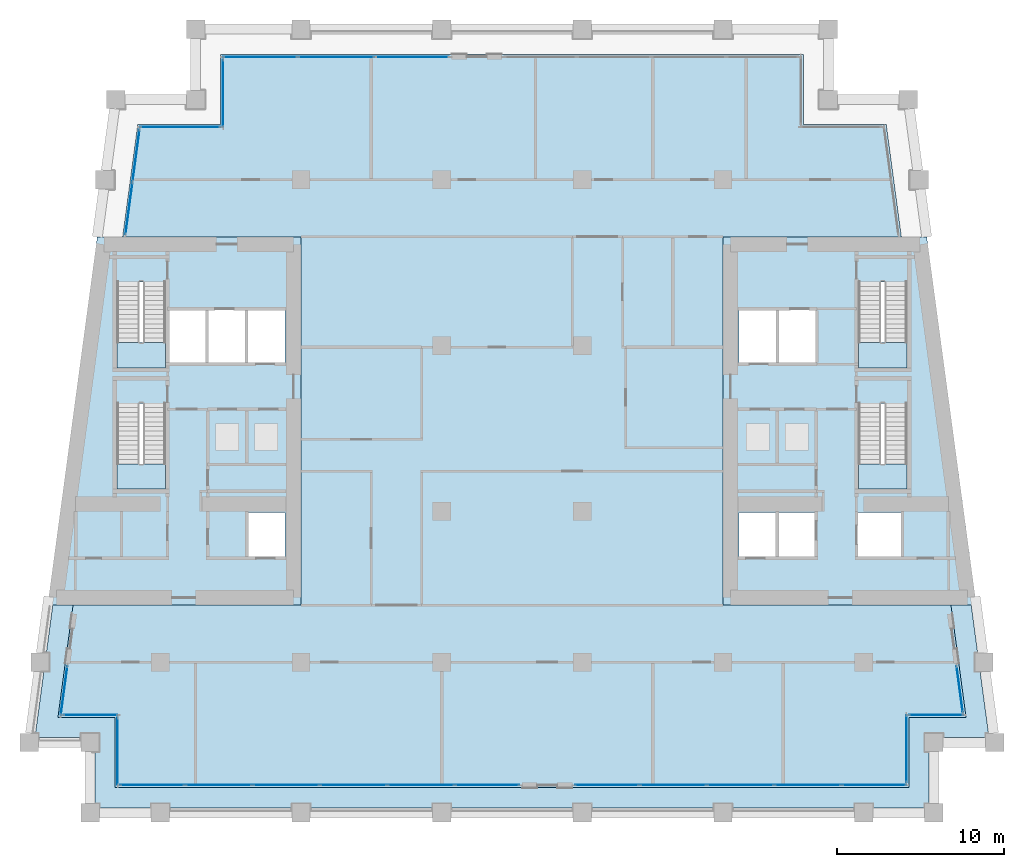
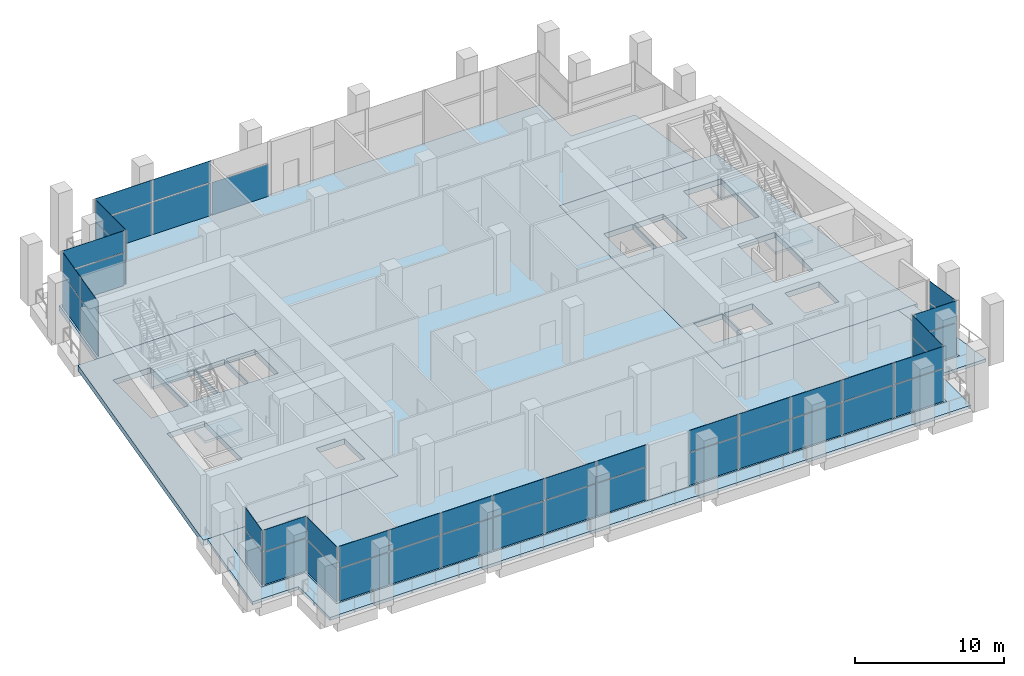
# One storey, part 6 of 16: 47 plates, 8 slabs, 16 elements without a shape of their own.
"""IFC4 building model written with IfcOpenShell, lengths in metres."""

from ifc_helpers import new_model, si_unit, direction, frame, origin, origin_2d, place, context, subcontext, project, spatial, polyline, rectangle, outline, extrude, material, layer, layer_set, type_object, element, aggregate, save


model = new_model("IFC4")

# Units and contexts
model_context = context("Model", 3, precision=1e-05, world=origin(), true_north=direction((0.0, 1.0)))
body_context = subcontext(model_context, "Body", "Model", "MODEL_VIEW")
ifc_project = project(units=[si_unit("LENGTHUNIT", "METRE"), si_unit("AREAUNIT", "SQUARE_METRE"), si_unit("VOLUMEUNIT", "CUBIC_METRE"), si_unit("PLANEANGLEUNIT", "RADIAN"), si_unit("MASSUNIT", "GRAM", prefix="KILO")], contexts=[model_context])

# Site, building, storey
site_placement = place(None, origin())
site = spatial("IfcSite", under=ifc_project, at=site_placement, CompositionType="ELEMENT")
building_placement = place(site_placement, origin())
building = spatial("IfcBuilding", under=site, at=building_placement, Name="Candeia Pilgrim Tower and Theatre", CompositionType="ELEMENT")
storey_placement = place(building_placement, frame((0.0, 0.0, 192.199951171875)))
storey = spatial("IfcBuildingStorey", under=building, at=storey_placement, Name="L46", CompositionType="ELEMENT", Elevation=192.199951171875)

# Curtain wall, plates
ifc_material_1 = material(Name="Aluminium framed sky lobby glazing", Category="aluminium")
curtain_wall_type = type_object("IfcCurtainWallType", Name="CW-S curtain wall", PredefinedType="NOTDEFINED", material=ifc_material_1)
curtain_wall_1_placement = place(storey_placement, origin())
curtain_wall_1 = element("IfcCurtainWall", 1, at=curtain_wall_1_placement, inside=storey, type_object=curtain_wall_type, Name="Curtain wall CW-S L46.000", PredefinedType="NOTDEFINED")
ifc_material_2 = material(Name="Laminated glass 2 x 6 mm", Category="glass")
ifc_layer_1 = layer(ifc_material_2, 0.031982421875)
ifc_layer_set_1 = layer_set([ifc_layer_1], Name="CW-S glass panel 32")
plate_type = type_object("IfcPlateType", Name="CW-S glass panel 32", PredefinedType="CURTAIN_PANEL", material=ifc_layer_set_1)
plate_1_placement = place(storey_placement, frame((91.925048828125, 99.64990234375, 0.0), z_axis=(0.0, 0.0, 1.0), x_axis=(1.0, 0.0, 0.0)))
plate_1 = element("IfcPlate", 2, at=plate_1_placement, type_object=plate_type, Name="CW-S panel 1.1", PredefinedType="CURTAIN_PANEL", context=body_context, shape_type="SweptSolid", body=[
    extrude(rectangle(XDim=3.820068359375, YDim=0.031982421875, at=origin_2d()), origin(), (0.0, 0.0, 1.0), 2.659912109375),
])
plate_2_placement = place(storey_placement, frame((91.925048828125, 99.64990234375, 2.740234375), z_axis=(0.0, 0.0, 1.0), x_axis=(1.0, 0.0, 0.0)))
plate_2 = element("IfcPlate", 3, at=plate_2_placement, type_object=plate_type, Name="CW-S panel 1.2", PredefinedType="CURTAIN_PANEL", context=body_context, shape_type="SweptSolid", body=[
    extrude(rectangle(XDim=3.820068359375, YDim=0.031982421875, at=origin_2d()), origin(), (0.0, 0.0, 1.0), 1.760009765625),
])
plate_3_placement = place(storey_placement, frame((95.887451171875, 99.64990234375, 0.0), z_axis=(0.0, 0.0, 1.0), x_axis=(1.0, 0.0, 0.0)))
plate_3 = element("IfcPlate", 4, at=plate_3_placement, type_object=plate_type, Name="CW-S panel 2.1", PredefinedType="CURTAIN_PANEL", context=body_context, shape_type="SweptSolid", body=[
    extrude(rectangle(XDim=3.945068359375, YDim=0.031982421875, at=origin_2d()), origin(), (0.0, 0.0, 1.0), 2.659912109375),
])
plate_4_placement = place(storey_placement, frame((95.887451171875, 99.64990234375, 2.740234375), z_axis=(0.0, 0.0, 1.0), x_axis=(1.0, 0.0, 0.0)))
plate_4 = element("IfcPlate", 5, at=plate_4_placement, type_object=plate_type, Name="CW-S panel 2.2", PredefinedType="CURTAIN_PANEL", context=body_context, shape_type="SweptSolid", body=[
    extrude(rectangle(XDim=3.945068359375, YDim=0.031982421875, at=origin_2d()), origin(), (0.0, 0.0, 1.0), 1.760009765625),
])
plate_5_placement = place(storey_placement, frame((99.91259765625, 99.64990234375, 0.0), z_axis=(0.0, 0.0, 1.0), x_axis=(1.0, 0.0, 0.0)))
plate_5 = element("IfcPlate", 6, at=plate_5_placement, type_object=plate_type, Name="CW-S panel 3.1", PredefinedType="CURTAIN_PANEL", context=body_context, shape_type="SweptSolid", body=[
    extrude(rectangle(XDim=3.945068359375, YDim=0.031982421875, at=origin_2d()), origin(), (0.0, 0.0, 1.0), 2.659912109375),
])
plate_6_placement = place(storey_placement, frame((99.91259765625, 99.64990234375, 2.740234375), z_axis=(0.0, 0.0, 1.0), x_axis=(1.0, 0.0, 0.0)))
plate_6 = element("IfcPlate", 7, at=plate_6_placement, type_object=plate_type, Name="CW-S panel 3.2", PredefinedType="CURTAIN_PANEL", context=body_context, shape_type="SweptSolid", body=[
    extrude(rectangle(XDim=3.945068359375, YDim=0.031982421875, at=origin_2d()), origin(), (0.0, 0.0, 1.0), 1.760009765625),
])
plate_7_placement = place(storey_placement, frame((103.9375, 99.64990234375, 0.0), z_axis=(0.0, 0.0, 1.0), x_axis=(1.0, 0.0, 0.0)))
plate_7 = element("IfcPlate", 8, at=plate_7_placement, type_object=plate_type, Name="CW-S panel 4.1", PredefinedType="CURTAIN_PANEL", context=body_context, shape_type="SweptSolid", body=[
    extrude(rectangle(XDim=3.945068359375, YDim=0.031982421875, at=origin_2d()), origin(), (0.0, 0.0, 1.0), 2.659912109375),
])
plate_8_placement = place(storey_placement, frame((103.9375, 99.64990234375, 2.740234375), z_axis=(0.0, 0.0, 1.0), x_axis=(1.0, 0.0, 0.0)))
plate_8 = element("IfcPlate", 9, at=plate_8_placement, type_object=plate_type, Name="CW-S panel 4.2", PredefinedType="CURTAIN_PANEL", context=body_context, shape_type="SweptSolid", body=[
    extrude(rectangle(XDim=3.945068359375, YDim=0.031982421875, at=origin_2d()), origin(), (0.0, 0.0, 1.0), 1.760009765625),
])
plate_9_placement = place(storey_placement, frame((107.96240234375, 99.64990234375, 0.0), z_axis=(0.0, 0.0, 1.0), x_axis=(1.0, 0.0, 0.0)))
plate_9 = element("IfcPlate", 10, at=plate_9_placement, type_object=plate_type, Name="CW-S panel 5.1", PredefinedType="CURTAIN_PANEL", context=body_context, shape_type="SweptSolid", body=[
    extrude(rectangle(XDim=3.945068359375, YDim=0.031982421875, at=origin_2d()), origin(), (0.0, 0.0, 1.0), 2.659912109375),
])
plate_10_placement = place(storey_placement, frame((107.96240234375, 99.64990234375, 2.740234375), z_axis=(0.0, 0.0, 1.0), x_axis=(1.0, 0.0, 0.0)))
plate_10 = element("IfcPlate", 11, at=plate_10_placement, type_object=plate_type, Name="CW-S panel 5.2", PredefinedType="CURTAIN_PANEL", context=body_context, shape_type="SweptSolid", body=[
    extrude(rectangle(XDim=3.945068359375, YDim=0.031982421875, at=origin_2d()), origin(), (0.0, 0.0, 1.0), 1.760009765625),
])
plate_11_placement = place(storey_placement, frame((111.925048828125, 99.64990234375, 0.0), z_axis=(0.0, 0.0, 1.0), x_axis=(1.0, 0.0, 0.0)))
plate_11 = element("IfcPlate", 12, at=plate_11_placement, type_object=plate_type, Name="CW-S panel 6.1", PredefinedType="CURTAIN_PANEL", context=body_context, shape_type="SweptSolid", body=[
    extrude(rectangle(XDim=3.820068359375, YDim=0.031982421875, at=origin_2d()), origin(), (0.0, 0.0, 1.0), 2.659912109375),
])
plate_12_placement = place(storey_placement, frame((111.925048828125, 99.64990234375, 2.740234375), z_axis=(0.0, 0.0, 1.0), x_axis=(1.0, 0.0, 0.0)))
plate_12 = element("IfcPlate", 13, at=plate_12_placement, type_object=plate_type, Name="CW-S panel 6.2", PredefinedType="CURTAIN_PANEL", context=body_context, shape_type="SweptSolid", body=[
    extrude(rectangle(XDim=3.820068359375, YDim=0.031982421875, at=origin_2d()), origin(), (0.0, 0.0, 1.0), 1.760009765625),
])
aggregate(curtain_wall_1, [plate_1, plate_2, plate_3, plate_4, plate_5, plate_6, plate_7, plate_8, plate_9, plate_10, plate_11, plate_12])

curtain_wall_2_placement = place(storey_placement, origin())
curtain_wall_2 = element("IfcCurtainWall", 14, at=curtain_wall_2_placement, inside=storey, type_object=curtain_wall_type, Name="Curtain wall CW-S L46.002", PredefinedType="NOTDEFINED")
plate_13_placement = place(storey_placement, frame((119.072509765625, 99.64990234375, 0.0), z_axis=(0.0, 0.0, 1.0), x_axis=(1.0, 0.0, 0.0)))
plate_13 = element("IfcPlate", 15, at=plate_13_placement, type_object=plate_type, Name="CW-S panel 1.1", PredefinedType="CURTAIN_PANEL", context=body_context, shape_type="SweptSolid", body=[
    extrude(rectangle(XDim=3.81494140625, YDim=0.031982421875, at=origin_2d()), origin(), (0.0, 0.0, 1.0), 2.659912109375),
])
plate_14_placement = place(storey_placement, frame((119.072509765625, 99.64990234375, 2.740234375), z_axis=(0.0, 0.0, 1.0), x_axis=(1.0, 0.0, 0.0)))
plate_14 = element("IfcPlate", 16, at=plate_14_placement, type_object=plate_type, Name="CW-S panel 1.2", PredefinedType="CURTAIN_PANEL", context=body_context, shape_type="SweptSolid", body=[
    extrude(rectangle(XDim=3.81494140625, YDim=0.031982421875, at=origin_2d()), origin(), (0.0, 0.0, 1.0), 1.760009765625),
])
plate_15_placement = place(storey_placement, frame((123.030029296875, 99.64990234375, 0.0), z_axis=(0.0, 0.0, 1.0), x_axis=(1.0, 0.0, 0.0)))
plate_15 = element("IfcPlate", 17, at=plate_15_placement, type_object=plate_type, Name="CW-S panel 2.1", PredefinedType="CURTAIN_PANEL", context=body_context, shape_type="SweptSolid", body=[
    extrude(rectangle(XDim=3.93994140625, YDim=0.031982421875, at=origin_2d()), origin(), (0.0, 0.0, 1.0), 2.659912109375),
])
plate_16_placement = place(storey_placement, frame((123.030029296875, 99.64990234375, 2.740234375), z_axis=(0.0, 0.0, 1.0), x_axis=(1.0, 0.0, 0.0)))
plate_16 = element("IfcPlate", 18, at=plate_16_placement, type_object=plate_type, Name="CW-S panel 2.2", PredefinedType="CURTAIN_PANEL", context=body_context, shape_type="SweptSolid", body=[
    extrude(rectangle(XDim=3.93994140625, YDim=0.031982421875, at=origin_2d()), origin(), (0.0, 0.0, 1.0), 1.760009765625),
])
plate_17_placement = place(storey_placement, frame((127.050048828125, 99.64990234375, 0.0), z_axis=(0.0, 0.0, 1.0), x_axis=(1.0, 0.0, 0.0)))
plate_17 = element("IfcPlate", 19, at=plate_17_placement, type_object=plate_type, Name="CW-S panel 3.1", PredefinedType="CURTAIN_PANEL", context=body_context, shape_type="SweptSolid", body=[
    extrude(rectangle(XDim=3.93994140625, YDim=0.031982421875, at=origin_2d()), origin(), (0.0, 0.0, 1.0), 2.659912109375),
])
plate_18_placement = place(storey_placement, frame((127.050048828125, 99.64990234375, 2.740234375), z_axis=(0.0, 0.0, 1.0), x_axis=(1.0, 0.0, 0.0)))
plate_18 = element("IfcPlate", 20, at=plate_18_placement, type_object=plate_type, Name="CW-S panel 3.2", PredefinedType="CURTAIN_PANEL", context=body_context, shape_type="SweptSolid", body=[
    extrude(rectangle(XDim=3.93994140625, YDim=0.031982421875, at=origin_2d()), origin(), (0.0, 0.0, 1.0), 1.760009765625),
])
plate_19_placement = place(storey_placement, frame((131.070068359375, 99.64990234375, 0.0), z_axis=(0.0, 0.0, 1.0), x_axis=(1.0, 0.0, 0.0)))
plate_19 = element("IfcPlate", 21, at=plate_19_placement, type_object=plate_type, Name="CW-S panel 4.1", PredefinedType="CURTAIN_PANEL", context=body_context, shape_type="SweptSolid", body=[
    extrude(rectangle(XDim=3.93994140625, YDim=0.031982421875, at=origin_2d()), origin(), (0.0, 0.0, 1.0), 2.659912109375),
])
plate_20_placement = place(storey_placement, frame((131.070068359375, 99.64990234375, 2.740234375), z_axis=(0.0, 0.0, 1.0), x_axis=(1.0, 0.0, 0.0)))
plate_20 = element("IfcPlate", 22, at=plate_20_placement, type_object=plate_type, Name="CW-S panel 4.2", PredefinedType="CURTAIN_PANEL", context=body_context, shape_type="SweptSolid", body=[
    extrude(rectangle(XDim=3.93994140625, YDim=0.031982421875, at=origin_2d()), origin(), (0.0, 0.0, 1.0), 1.760009765625),
])
plate_21_placement = place(storey_placement, frame((135.027587890625, 99.64990234375, 0.0), z_axis=(0.0, 0.0, 1.0), x_axis=(1.0, 0.0, 0.0)))
plate_21 = element("IfcPlate", 23, at=plate_21_placement, type_object=plate_type, Name="CW-S panel 5.1", PredefinedType="CURTAIN_PANEL", context=body_context, shape_type="SweptSolid", body=[
    extrude(rectangle(XDim=3.81494140625, YDim=0.031982421875, at=origin_2d()), origin(), (0.0, 0.0, 1.0), 2.659912109375),
])
plate_22_placement = place(storey_placement, frame((135.027587890625, 99.64990234375, 2.740234375), z_axis=(0.0, 0.0, 1.0), x_axis=(1.0, 0.0, 0.0)))
plate_22 = element("IfcPlate", 24, at=plate_22_placement, type_object=plate_type, Name="CW-S panel 5.2", PredefinedType="CURTAIN_PANEL", context=body_context, shape_type="SweptSolid", body=[
    extrude(rectangle(XDim=3.81494140625, YDim=0.031982421875, at=origin_2d()), origin(), (0.0, 0.0, 1.0), 1.760009765625),
])
aggregate(curtain_wall_2, [plate_13, plate_14, plate_15, plate_16, plate_17, plate_18, plate_19, plate_20, plate_21, plate_22])

curtain_wall_3_placement = place(storey_placement, origin())
curtain_wall_3 = element("IfcCurtainWall", 25, at=curtain_wall_3_placement, inside=storey, type_object=curtain_wall_type, Name="Curtain wall CW-S L46.100", PredefinedType="NOTDEFINED")
plate_23_placement = place(storey_placement, frame((136.949951171875, 101.824951171875, 0.0), z_axis=(0.0, 0.0, 1.0), x_axis=(0.0, 1.0, 0.0)))
plate_23 = element("IfcPlate", 26, at=plate_23_placement, type_object=plate_type, Name="CW-S panel 1.1", PredefinedType="CURTAIN_PANEL", context=body_context, shape_type="SweptSolid", body=[
    extrude(rectangle(XDim=4.02001953125, YDim=0.031982421875, at=origin_2d()), origin(), (0.0, 0.0, 1.0), 2.659912109375),
])
plate_24_placement = place(storey_placement, frame((136.949951171875, 101.824951171875, 2.740234375), z_axis=(0.0, 0.0, 1.0), x_axis=(0.0, 1.0, 0.0)))
plate_24 = element("IfcPlate", 27, at=plate_24_placement, type_object=plate_type, Name="CW-S panel 1.2", PredefinedType="CURTAIN_PANEL", context=body_context, shape_type="SweptSolid", body=[
    extrude(rectangle(XDim=4.02001953125, YDim=0.031982421875, at=origin_2d()), origin(), (0.0, 0.0, 1.0), 1.760009765625),
])
aggregate(curtain_wall_3, [plate_23, plate_24])

curtain_wall_4_placement = place(storey_placement, origin())
curtain_wall_4 = element("IfcCurtainWall", 28, at=curtain_wall_4_placement, inside=storey, type_object=curtain_wall_type, Name="Curtain wall CW-S L46.200", PredefinedType="NOTDEFINED")
plate_25_placement = place(storey_placement, frame((138.734619140625, 103.85009765625, 0.0), z_axis=(0.0, 0.0, 1.0), x_axis=(1.0, 0.0, 0.0)))
plate_25 = element("IfcPlate", 29, at=plate_25_placement, type_object=plate_type, Name="CW-S panel 1.1", PredefinedType="CURTAIN_PANEL", context=body_context, shape_type="SweptSolid", body=[
    extrude(rectangle(XDim=3.2392578125, YDim=0.031982421875, at=origin_2d()), origin(), (0.0, 0.0, 1.0), 2.659912109375),
])
plate_26_placement = place(storey_placement, frame((138.734619140625, 103.85009765625, 2.740234375), z_axis=(0.0, 0.0, 1.0), x_axis=(1.0, 0.0, 0.0)))
plate_26 = element("IfcPlate", 30, at=plate_26_placement, type_object=plate_type, Name="CW-S panel 1.2", PredefinedType="CURTAIN_PANEL", context=body_context, shape_type="SweptSolid", body=[
    extrude(rectangle(XDim=3.2392578125, YDim=0.031982421875, at=origin_2d()), origin(), (0.0, 0.0, 1.0), 1.760009765625),
])
aggregate(curtain_wall_4, [plate_25, plate_26])

curtain_wall_5_placement = place(storey_placement, origin())
curtain_wall_5 = element("IfcCurtainWall", 31, at=curtain_wall_5_placement, inside=storey, type_object=curtain_wall_type, Name="Curtain wall CW-S L46.300", PredefinedType="NOTDEFINED")
plate_27_placement = place(storey_placement, frame((140.141357421875, 105.381591796875, 0.0), z_axis=(0.0, 0.0, 1.0), x_axis=(-0.133412012145, 0.991060661622, 0.0)))
plate_27 = element("IfcPlate", 32, at=plate_27_placement, type_object=plate_type, Name="CW-S panel 1.1", PredefinedType="CURTAIN_PANEL", context=body_context, shape_type="SweptSolid", body=[
    extrude(rectangle(XDim=2.760986328125, YDim=0.031982421875, at=origin_2d()), origin(), (0.0, 0.0, 1.0), 2.659912109375),
])
plate_28_placement = place(storey_placement, frame((140.141357421875, 105.381591796875, 2.740234375), z_axis=(0.0, 0.0, 1.0), x_axis=(-0.133412012145, 0.991060661622, 0.0)))
plate_28 = element("IfcPlate", 33, at=plate_28_placement, type_object=plate_type, Name="CW-S panel 1.2", PredefinedType="CURTAIN_PANEL", context=body_context, shape_type="SweptSolid", body=[
    extrude(rectangle(XDim=2.760986328125, YDim=0.031982421875, at=origin_2d()), origin(), (0.0, 0.0, 1.0), 1.760009765625),
])
aggregate(curtain_wall_5, [plate_27, plate_28])

curtain_wall_6_placement = place(storey_placement, origin())
curtain_wall_6 = element("IfcCurtainWall", 34, at=curtain_wall_6_placement, inside=storey, type_object=curtain_wall_type, Name="Curtain wall CW-S L46.602", PredefinedType="NOTDEFINED")
plate_29_placement = place(storey_placement, frame((107.4375, 143.14990234375, 0.0), z_axis=(0.0, 0.0, 1.0), x_axis=(-1.0, 0.0, 0.0)))
plate_29 = element("IfcPlate", 35, at=plate_29_placement, type_object=plate_type, Name="CW-S panel 1.1", PredefinedType="CURTAIN_PANEL", context=body_context, shape_type="SweptSolid", body=[
    extrude(rectangle(XDim=4.39501953125, YDim=0.031982421875, at=origin_2d()), origin(), (0.0, 0.0, 1.0), 2.659912109375),
])
plate_30_placement = place(storey_placement, frame((102.89990234375, 143.14990234375, 0.0), z_axis=(0.0, 0.0, 1.0), x_axis=(-1.0, 0.0, 0.0)))
plate_30 = element("IfcPlate", 36, at=plate_30_placement, type_object=plate_type, Name="CW-S panel 2.1", PredefinedType="CURTAIN_PANEL", context=body_context, shape_type="SweptSolid", body=[
    extrude(rectangle(XDim=4.52001953125, YDim=0.031982421875, at=origin_2d()), origin(), (0.0, 0.0, 1.0), 2.659912109375),
])
plate_31_placement = place(storey_placement, frame((102.89990234375, 143.14990234375, 2.740234375), z_axis=(0.0, 0.0, 1.0), x_axis=(-1.0, 0.0, 0.0)))
plate_31 = element("IfcPlate", 37, at=plate_31_placement, type_object=plate_type, Name="CW-S panel 2.2", PredefinedType="CURTAIN_PANEL", context=body_context, shape_type="SweptSolid", body=[
    extrude(rectangle(XDim=4.52001953125, YDim=0.031982421875, at=origin_2d()), origin(), (0.0, 0.0, 1.0), 1.760009765625),
])
plate_32_placement = place(storey_placement, frame((98.362548828125, 143.14990234375, 0.0), z_axis=(0.0, 0.0, 1.0), x_axis=(-1.0, 0.0, 0.0)))
plate_32 = element("IfcPlate", 38, at=plate_32_placement, type_object=plate_type, Name="CW-S panel 3.1", PredefinedType="CURTAIN_PANEL", context=body_context, shape_type="SweptSolid", body=[
    extrude(rectangle(XDim=4.39501953125, YDim=0.031982421875, at=origin_2d()), origin(), (0.0, 0.0, 1.0), 2.659912109375),
])
plate_33_placement = place(storey_placement, frame((98.362548828125, 143.14990234375, 2.740234375), z_axis=(0.0, 0.0, 1.0), x_axis=(-1.0, 0.0, 0.0)))
plate_33 = element("IfcPlate", 39, at=plate_33_placement, type_object=plate_type, Name="CW-S panel 3.2", PredefinedType="CURTAIN_PANEL", context=body_context, shape_type="SweptSolid", body=[
    extrude(rectangle(XDim=4.39501953125, YDim=0.031982421875, at=origin_2d()), origin(), (0.0, 0.0, 1.0), 1.760009765625),
])
aggregate(curtain_wall_6, [plate_29, plate_30, plate_31, plate_32, plate_33])

curtain_wall_7_placement = place(storey_placement, origin())
curtain_wall_7 = element("IfcCurtainWall", 40, at=curtain_wall_7_placement, inside=storey, type_object=curtain_wall_type, Name="Curtain wall CW-S L46.700", PredefinedType="NOTDEFINED")
plate_34_placement = place(storey_placement, frame((96.14990234375, 140.97509765625, 0.0), z_axis=(0.0, 0.0, 1.0), x_axis=(0.0, -1.0, 0.0)))
plate_34 = element("IfcPlate", 41, at=plate_34_placement, type_object=plate_type, Name="CW-S panel 1.1", PredefinedType="CURTAIN_PANEL", context=body_context, shape_type="SweptSolid", body=[
    extrude(rectangle(XDim=4.02001953125, YDim=0.031982421875, at=origin_2d()), origin(), (0.0, 0.0, 1.0), 2.659912109375),
])
plate_35_placement = place(storey_placement, frame((96.14990234375, 140.97509765625, 2.740234375), z_axis=(0.0, 0.0, 1.0), x_axis=(0.0, -1.0, 0.0)))
plate_35 = element("IfcPlate", 42, at=plate_35_placement, type_object=plate_type, Name="CW-S panel 1.2", PredefinedType="CURTAIN_PANEL", context=body_context, shape_type="SweptSolid", body=[
    extrude(rectangle(XDim=4.02001953125, YDim=0.031982421875, at=origin_2d()), origin(), (0.0, 0.0, 1.0), 1.760009765625),
])
aggregate(curtain_wall_7, [plate_34, plate_35])

curtain_wall_8_placement = place(storey_placement, origin())
curtain_wall_8 = element("IfcCurtainWall", 43, at=curtain_wall_8_placement, inside=storey, type_object=curtain_wall_type, Name="Curtain wall CW-S L46.800", PredefinedType="NOTDEFINED")
plate_36_placement = place(storey_placement, frame((93.59814453125, 138.949951171875, 0.0), z_axis=(0.0, 0.0, 1.0), x_axis=(-1.0, 0.0, 0.0)))
plate_36 = element("IfcPlate", 44, at=plate_36_placement, type_object=plate_type, Name="CW-S panel 1.1", PredefinedType="CURTAIN_PANEL", context=body_context, shape_type="SweptSolid", body=[
    extrude(rectangle(XDim=4.773681640625, YDim=0.031982421875, at=origin_2d()), origin(), (0.0, 0.0, 1.0), 2.659912109375),
])
plate_37_placement = place(storey_placement, frame((93.59814453125, 138.949951171875, 2.740234375), z_axis=(0.0, 0.0, 1.0), x_axis=(-1.0, 0.0, 0.0)))
plate_37 = element("IfcPlate", 45, at=plate_37_placement, type_object=plate_type, Name="CW-S panel 1.2", PredefinedType="CURTAIN_PANEL", context=body_context, shape_type="SweptSolid", body=[
    extrude(rectangle(XDim=4.773681640625, YDim=0.031982421875, at=origin_2d()), origin(), (0.0, 0.0, 1.0), 1.760009765625),
])
aggregate(curtain_wall_8, [plate_36, plate_37])

curtain_wall_9_placement = place(storey_placement, origin())
curtain_wall_9 = element("IfcCurtainWall", 46, at=curtain_wall_9_placement, inside=storey, type_object=curtain_wall_type, Name="Curtain wall CW-S L46.900", PredefinedType="NOTDEFINED")
plate_38_placement = place(storey_placement, frame((90.94873046875, 137.25048828125, 0.0), z_axis=(0.0, 0.0, 1.0), x_axis=(-0.133412012145, -0.991060661622, 0.0)))
plate_38 = element("IfcPlate", 47, at=plate_38_placement, type_object=plate_type, Name="CW-S panel 1.1", PredefinedType="CURTAIN_PANEL", context=body_context, shape_type="SweptSolid", body=[
    extrude(rectangle(XDim=3.099609375, YDim=0.031982421875, at=origin_2d()), origin(), (0.0, 0.0, 1.0), 2.659912109375),
])
plate_39_placement = place(storey_placement, frame((90.94873046875, 137.25048828125, 2.740234375), z_axis=(0.0, 0.0, 1.0), x_axis=(-0.133412012145, -0.991060661622, 0.0)))
plate_39 = element("IfcPlate", 48, at=plate_39_placement, type_object=plate_type, Name="CW-S panel 1.2", PredefinedType="CURTAIN_PANEL", context=body_context, shape_type="SweptSolid", body=[
    extrude(rectangle(XDim=3.099609375, YDim=0.031982421875, at=origin_2d()), origin(), (0.0, 0.0, 1.0), 1.760009765625),
])
plate_40_placement = place(storey_placement, frame((90.5244140625, 134.099365234375, 0.0), z_axis=(0.0, 0.0, 1.0), x_axis=(-0.133412012145, -0.991060661622, 0.0)))
plate_40 = element("IfcPlate", 49, at=plate_40_placement, type_object=plate_type, Name="CW-S panel 2.1", PredefinedType="CURTAIN_PANEL", context=body_context, shape_type="SweptSolid", body=[
    extrude(rectangle(XDim=3.099609375, YDim=0.031982421875, at=origin_2d()), origin(), (0.0, 0.0, 1.0), 2.659912109375),
])
plate_41_placement = place(storey_placement, frame((90.5244140625, 134.099365234375, 2.740234375), z_axis=(0.0, 0.0, 1.0), x_axis=(-0.133412012145, -0.991060661622, 0.0)))
plate_41 = element("IfcPlate", 50, at=plate_41_placement, type_object=plate_type, Name="CW-S panel 2.2", PredefinedType="CURTAIN_PANEL", context=body_context, shape_type="SweptSolid", body=[
    extrude(rectangle(XDim=3.099609375, YDim=0.031982421875, at=origin_2d()), origin(), (0.0, 0.0, 1.0), 1.760009765625),
])
aggregate(curtain_wall_9, [plate_38, plate_39, plate_40, plate_41])

curtain_wall_10_placement = place(storey_placement, origin())
curtain_wall_10 = element("IfcCurtainWall", 51, at=curtain_wall_10_placement, inside=storey, type_object=curtain_wall_type, Name="Curtain wall CW-S L46.911", PredefinedType="NOTDEFINED")
plate_42_placement = place(storey_placement, frame((86.647216796875, 105.296630859375, 0.0), z_axis=(0.0, 0.0, 1.0), x_axis=(-0.133412012145, -0.991060661622, 0.0)))
plate_42 = element("IfcPlate", 52, at=plate_42_placement, type_object=plate_type, Name="CW-S panel 1.1", PredefinedType="CURTAIN_PANEL", context=body_context, shape_type="SweptSolid", body=[
    extrude(rectangle(XDim=2.9326171875, YDim=0.031982421875, at=origin_2d()), origin(), (0.0, 0.0, 1.0), 2.659912109375),
])
plate_43_placement = place(storey_placement, frame((86.647216796875, 105.296630859375, 2.740234375), z_axis=(0.0, 0.0, 1.0), x_axis=(-0.133412012145, -0.991060661622, 0.0)))
plate_43 = element("IfcPlate", 53, at=plate_43_placement, type_object=plate_type, Name="CW-S panel 1.2", PredefinedType="CURTAIN_PANEL", context=body_context, shape_type="SweptSolid", body=[
    extrude(rectangle(XDim=2.9326171875, YDim=0.031982421875, at=origin_2d()), origin(), (0.0, 0.0, 1.0), 1.760009765625),
])
aggregate(curtain_wall_10, [plate_42, plate_43])

curtain_wall_11_placement = place(storey_placement, origin())
curtain_wall_11 = element("IfcCurtainWall", 54, at=curtain_wall_11_placement, inside=storey, type_object=curtain_wall_type, Name="Curtain wall CW-S L46.1000", PredefinedType="NOTDEFINED")
plate_44_placement = place(storey_placement, frame((88.22607421875, 103.85009765625, 0.0), z_axis=(0.0, 0.0, 1.0), x_axis=(1.0, 0.0, 0.0)))
plate_44 = element("IfcPlate", 55, at=plate_44_placement, type_object=plate_type, Name="CW-S panel 1.1", PredefinedType="CURTAIN_PANEL", context=body_context, shape_type="SweptSolid", body=[
    extrude(rectangle(XDim=3.217529296875, YDim=0.031982421875, at=origin_2d()), origin(), (0.0, 0.0, 1.0), 2.659912109375),
])
plate_45_placement = place(storey_placement, frame((88.22607421875, 103.85009765625, 2.740234375), z_axis=(0.0, 0.0, 1.0), x_axis=(1.0, 0.0, 0.0)))
plate_45 = element("IfcPlate", 56, at=plate_45_placement, type_object=plate_type, Name="CW-S panel 1.2", PredefinedType="CURTAIN_PANEL", context=body_context, shape_type="SweptSolid", body=[
    extrude(rectangle(XDim=3.217529296875, YDim=0.031982421875, at=origin_2d()), origin(), (0.0, 0.0, 1.0), 1.760009765625),
])
aggregate(curtain_wall_11, [plate_44, plate_45])

curtain_wall_12_placement = place(storey_placement, origin())
curtain_wall_12 = element("IfcCurtainWall", 57, at=curtain_wall_12_placement, inside=storey, type_object=curtain_wall_type, Name="Curtain wall CW-S L46.1100", PredefinedType="NOTDEFINED")
plate_46_placement = place(storey_placement, frame((89.85009765625, 101.675048828125, 0.0), z_axis=(0.0, 0.0, 1.0), x_axis=(0.0, -1.0, 0.0)))
plate_46 = element("IfcPlate", 58, at=plate_46_placement, type_object=plate_type, Name="CW-S panel 1.1", PredefinedType="CURTAIN_PANEL", context=body_context, shape_type="SweptSolid", body=[
    extrude(rectangle(XDim=4.02001953125, YDim=0.031982421875, at=origin_2d()), origin(), (0.0, 0.0, 1.0), 2.659912109375),
])
plate_47_placement = place(storey_placement, frame((89.85009765625, 101.675048828125, 2.740234375), z_axis=(0.0, 0.0, 1.0), x_axis=(0.0, -1.0, 0.0)))
plate_47 = element("IfcPlate", 59, at=plate_47_placement, type_object=plate_type, Name="CW-S panel 1.2", PredefinedType="CURTAIN_PANEL", context=body_context, shape_type="SweptSolid", body=[
    extrude(rectangle(XDim=4.02001953125, YDim=0.031982421875, at=origin_2d()), origin(), (0.0, 0.0, 1.0), 1.760009765625),
])
aggregate(curtain_wall_12, [plate_46, plate_47])

# Slabs
ifc_material_3 = material(Name="Concrete C60/75", Category="concrete")
ifc_layer_2 = layer(ifc_material_3, 0.449951171875)
ifc_layer_set_2 = layer_set([ifc_layer_2], Name="FS-CORE 450 core floor")
slab_type_1 = type_object("IfcSlabType", Name="FS-CORE 450 core floor", PredefinedType="FLOOR", material=ifc_layer_set_2)
slab_1_placement = place(storey_placement, frame((0.0, 0.0, -0.449951171875)))
element("IfcSlab", 60, at=slab_1_placement, inside=storey, type_object=slab_type_1, Name="Core floor W L46", PredefinedType="FLOOR", context=body_context, shape_type="SweptSolid", body=[
    extrude(outline(polyline([(100.800048828125, 132.39990234375), (100.800048828125, 110.39990234375), (85.669189453125, 110.39990234375), (88.630859375, 132.39990234375), (100.800048828125, 132.39990234375)]), holes=[polyline([(97.59228515625, 128.050048828125), (97.59228515625, 124.85009765625), (99.85009765625, 124.85009765625), (99.85009765625, 128.050048828125), (97.59228515625, 128.050048828125)]), polyline([(97.613525390625, 113.25), (99.85009765625, 113.25), (99.85009765625, 115.949951171875), (97.613525390625, 115.949951171875), (97.613525390625, 113.25)]), polyline([(95.234619140625, 124.85009765625), (97.4921875, 124.85009765625), (97.4921875, 128.050048828125), (95.234619140625, 128.050048828125), (95.234619140625, 124.85009765625)]), polyline([(92.876953125, 128.050048828125), (92.876953125, 124.85009765625), (95.134765625, 124.85009765625), (95.134765625, 128.050048828125), (92.876953125, 128.050048828125)]), polyline([(89.802001953125, 122.455078125), (89.802001953125, 117.324951171875), (92.701904296875, 117.324951171875), (92.701904296875, 122.455078125), (89.802001953125, 122.455078125)]), polyline([(89.802001953125, 129.705078125), (89.802001953125, 124.574951171875), (92.701904296875, 124.574951171875), (92.701904296875, 129.705078125), (89.802001953125, 129.705078125)])]), origin(), (0.0, 0.0, 1.0), 0.449951171875),
])
slab_2_placement = place(storey_placement, frame((0.0, 0.0, -0.449951171875)))
element("IfcSlab", 61, at=slab_2_placement, inside=storey, type_object=slab_type_1, Name="Core floor E L46", PredefinedType="FLOOR", context=body_context, shape_type="SweptSolid", body=[
    extrude(outline(polyline([(138.169189453125, 132.39990234375), (141.130859375, 110.39990234375), (126.0, 110.39990234375), (126.0, 132.39990234375), (138.169189453125, 132.39990234375)]), holes=[polyline([(134.097900390625, 122.455078125), (134.097900390625, 117.324951171875), (136.998046875, 117.324951171875), (136.998046875, 122.455078125), (134.097900390625, 122.455078125)]), polyline([(134.097900390625, 129.705078125), (134.097900390625, 124.574951171875), (136.998046875, 124.574951171875), (136.998046875, 129.705078125), (134.097900390625, 129.705078125)]), polyline([(136.672607421875, 115.949951171875), (134.02294921875, 115.949951171875), (134.02294921875, 113.25), (136.672607421875, 113.25), (136.672607421875, 115.949951171875)]), polyline([(131.565185546875, 128.050048828125), (129.3076171875, 128.050048828125), (129.3076171875, 124.85009765625), (131.565185546875, 124.85009765625), (131.565185546875, 128.050048828125)]), polyline([(131.52294921875, 115.949951171875), (129.28662109375, 115.949951171875), (129.28662109375, 113.25), (131.52294921875, 113.25), (131.52294921875, 115.949951171875)]), polyline([(129.207763671875, 128.050048828125), (126.949951171875, 128.050048828125), (126.949951171875, 124.85009765625), (129.207763671875, 124.85009765625), (129.207763671875, 128.050048828125)]), polyline([(126.949951171875, 115.949951171875), (126.949951171875, 113.25), (129.1865234375, 113.25), (129.1865234375, 115.949951171875), (126.949951171875, 115.949951171875)])]), origin(), (0.0, 0.0, 1.0), 0.449951171875),
])
ifc_material_4 = material(Name="Concrete C50/60", Category="concrete")
ifc_layer_3 = layer(ifc_material_4, 0.449951171875)
ifc_layer_set_3 = layer_set([ifc_layer_3], Name="Floor slab 450 C50/60")
slab_type_2 = type_object("IfcSlabType", Name="Floor slab 450 C50/60", PredefinedType="FLOOR", material=ifc_layer_set_3)
slab_3_placement = place(storey_placement, frame((0.0, 0.0, -0.449951171875)))
element("IfcSlab", 62, at=slab_3_placement, inside=storey, type_object=slab_type_2, Name="Floor slab L46", PredefinedType="FLOOR", context=body_context, shape_type="SweptSolid", body=[
    extrude(outline(polyline([(96.0, 139.10009765625), (96.0, 143.300048828125), (130.800048828125, 143.300048828125), (130.800048828125, 139.10009765625), (135.753662109375, 139.10009765625), (136.65576171875, 132.39990234375), (126.0, 132.39990234375), (126.0, 110.39990234375), (139.6171875, 110.39990234375), (140.51904296875, 103.699951171875), (137.10009765625, 103.699951171875), (137.10009765625, 99.5), (89.699951171875, 99.5), (89.699951171875, 103.699951171875), (86.28076171875, 103.699951171875), (87.182861328125, 110.39990234375), (100.800048828125, 110.39990234375), (100.800048828125, 132.39990234375), (90.144287109375, 132.39990234375), (91.046142578125, 139.10009765625), (96.0, 139.10009765625)])), origin(), (0.0, 0.0, 1.0), 0.449951171875),
])
ifc_material_5 = material(Name="Concrete C40/50", Category="concrete")
ifc_layer_4 = layer(ifc_material_5, 0.25)
ifc_layer_set_4 = layer_set([ifc_layer_4], Name="Loggia slab 250 C40/50")
slab_type_3 = type_object("IfcSlabType", Name="Loggia slab 250 C40/50", PredefinedType="FLOOR", material=ifc_layer_set_4)
slab_4_placement = place(storey_placement, frame((0.0, 0.0, -0.25)))
element("IfcSlab", 63, at=slab_4_placement, inside=storey, type_object=slab_type_3, Name="Loggia slab L46 1", PredefinedType="FLOOR", context=body_context, shape_type="SweptSolid", body=[
    extrude(outline(polyline([(87.182861328125, 110.39990234375), (86.28076171875, 103.699951171875), (89.699951171875, 103.699951171875), (89.699951171875, 99.5), (137.10009765625, 99.5), (137.10009765625, 103.699951171875), (140.51904296875, 103.699951171875), (139.6171875, 110.39990234375), (140.828125, 110.39990234375), (141.8916015625, 102.5), (138.300048828125, 102.5), (138.300048828125, 98.300048828125), (88.5, 98.300048828125), (88.5, 102.5), (84.908447265625, 102.5), (85.971923828125, 110.39990234375), (87.182861328125, 110.39990234375)])), origin(), (0.0, 0.0, 1.0), 0.25),
])

# Stair, slab
stair_type = type_object("IfcStairType", Name="ST-TWR dog-leg escape stair", PredefinedType="HALF_TURN_STAIR", material=ifc_material_5)
stair_1_placement = place(storey_placement, origin())
stair_1 = element("IfcStair", 64, at=stair_1_placement, inside=storey, type_object=stair_type, Name="L46 Escape stair ST1", PredefinedType="HALF_TURN_STAIR")
ifc_layer_5 = layer(ifc_material_5, 0.199951171875)
ifc_layer_set_5 = layer_set([ifc_layer_5], Name="SL-LANDING stair landing")
slab_type_4 = type_object("IfcSlabType", Name="SL-LANDING stair landing", PredefinedType="LANDING", material=ifc_layer_set_5)
slab_5_placement = place(storey_placement, frame((0.0, 0.0, 2.300048828125)))
slab_5 = element("IfcSlab", 65, at=slab_5_placement, type_object=slab_type_4, Name="ST1 landing 1", PredefinedType="LANDING", context=body_context, shape_type="SweptSolid", body=[
    extrude(outline(polyline([(89.802001953125, 118.8349609375), (89.802001953125, 117.324951171875), (92.701904296875, 117.324951171875), (92.701904296875, 118.8349609375), (89.802001953125, 118.8349609375)])), origin(), (0.0, 0.0, 1.0), 0.199951171875),
])
aggregate(stair_1, [slab_5])

stair_2_placement = place(storey_placement, origin())
stair_2 = element("IfcStair", 66, at=stair_2_placement, inside=storey, type_object=stair_type, Name="L46 Escape stair ST2", PredefinedType="HALF_TURN_STAIR")
slab_6_placement = place(storey_placement, frame((0.0, 0.0, 2.300048828125)))
slab_6 = element("IfcSlab", 67, at=slab_6_placement, type_object=slab_type_4, Name="ST2 landing 1", PredefinedType="LANDING", context=body_context, shape_type="SweptSolid", body=[
    extrude(outline(polyline([(89.802001953125, 126.0849609375), (89.802001953125, 124.574951171875), (92.701904296875, 124.574951171875), (92.701904296875, 126.0849609375), (89.802001953125, 126.0849609375)])), origin(), (0.0, 0.0, 1.0), 0.199951171875),
])
aggregate(stair_2, [slab_6])

stair_3_placement = place(storey_placement, origin())
stair_3 = element("IfcStair", 68, at=stair_3_placement, inside=storey, type_object=stair_type, Name="L46 Escape stair ST3", PredefinedType="HALF_TURN_STAIR")
slab_7_placement = place(storey_placement, frame((0.0, 0.0, 2.300048828125)))
slab_7 = element("IfcSlab", 69, at=slab_7_placement, type_object=slab_type_4, Name="ST3 landing 1", PredefinedType="LANDING", context=body_context, shape_type="SweptSolid", body=[
    extrude(outline(polyline([(134.097900390625, 118.8349609375), (134.097900390625, 117.324951171875), (136.998046875, 117.324951171875), (136.998046875, 118.8349609375), (134.097900390625, 118.8349609375)])), origin(), (0.0, 0.0, 1.0), 0.199951171875),
])
aggregate(stair_3, [slab_7])

stair_4_placement = place(storey_placement, origin())
stair_4 = element("IfcStair", 70, at=stair_4_placement, inside=storey, type_object=stair_type, Name="L46 Escape stair ST4", PredefinedType="HALF_TURN_STAIR")
slab_8_placement = place(storey_placement, frame((0.0, 0.0, 2.300048828125)))
slab_8 = element("IfcSlab", 71, at=slab_8_placement, type_object=slab_type_4, Name="ST4 landing 1", PredefinedType="LANDING", context=body_context, shape_type="SweptSolid", body=[
    extrude(outline(polyline([(134.097900390625, 126.0849609375), (134.097900390625, 124.574951171875), (136.998046875, 124.574951171875), (136.998046875, 126.0849609375), (134.097900390625, 126.0849609375)])), origin(), (0.0, 0.0, 1.0), 0.199951171875),
])
aggregate(stair_4, [slab_8])

save(model, "model.ifc")
